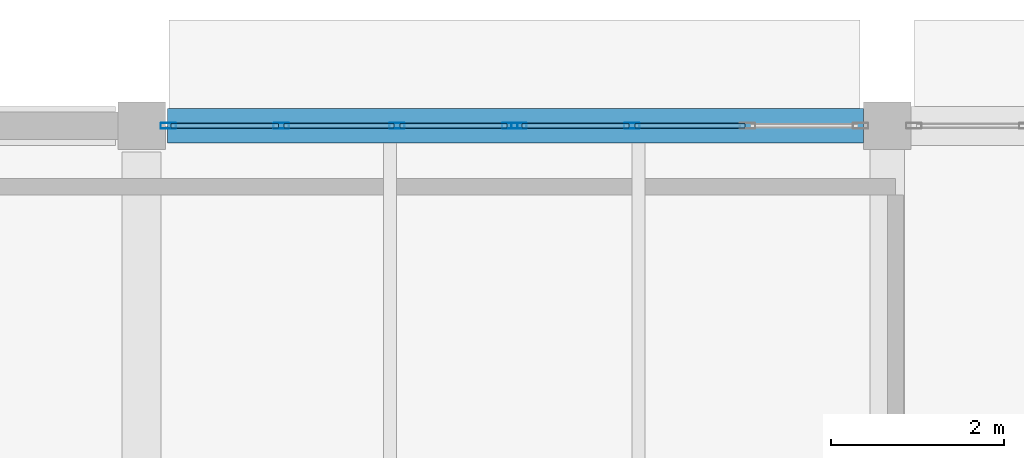
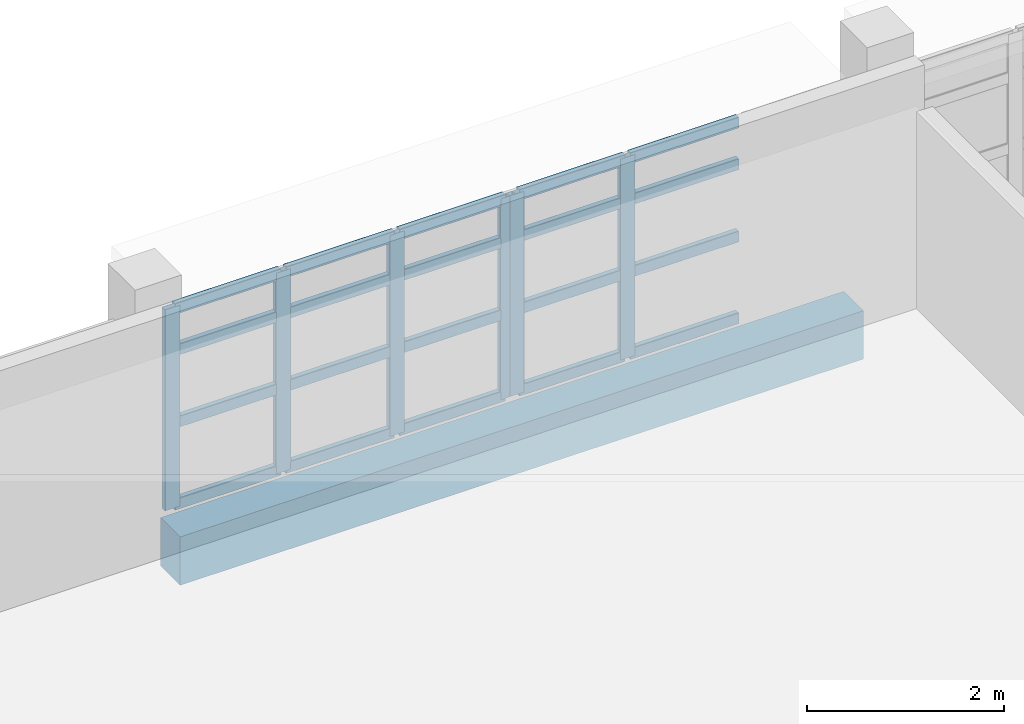
# One storey, part 14 of 34: 26 members, 1 beam, 2 elements without a shape of their own.
"""IFC4 building model written with IfcOpenShell, lengths in metres."""

import ifcopenshell
import ifcopenshell.guid

model = None  # the IFC model being written
_history = None  # IfcOwnerHistory: only IFC2X3 demands one
_inside = {}  # id of a spatial element -> (the spatial element, [elements in it])
_under = {}  # id of a project, library or spatial element -> (it, [spatial elements below it])
_declared = {}  # id of a project -> (the project, [libraries it declares])
_typed = {}  # id of a type object -> (the type object, [elements of that type])
_made_of = {}  # id of a material, layer set ... -> (it, [elements and type objects made of it])


def new_model(schema):
    """Start an empty IFC model of exactly this schema.

    Asked for "IFC4X3", IfcOpenShell would pick the latest addendum, in which some entities
    have other attributes; the version numbers below select the first issue.
    IFC2X3 requires an IfcOwnerHistory on every rooted entity: one is made here for all.
    """
    global model, _history
    if schema == "IFC4X3":
        model = ifcopenshell.file(schema_version=(4, 3, 0, 0))
    else:
        model = ifcopenshell.file(schema=schema)
    _inside.clear()
    _under.clear()
    _declared.clear()
    _typed.clear()
    _made_of.clear()
    _history = None
    if model.schema == "IFC2X3":
        org = make("IfcOrganization", Name="unknown")
        user = make(
            "IfcPersonAndOrganization",
            ThePerson=make("IfcPerson", FamilyName="unknown"),
            TheOrganization=org,
        )
        app = make(
            "IfcApplication",
            ApplicationDeveloper=org,
            Version="unknown",
            ApplicationFullName="unknown",
            ApplicationIdentifier="unknown",
        )
        _history = make(
            "IfcOwnerHistory",
            OwningUser=user,
            OwningApplication=app,
            ChangeAction="ADDED",
            CreationDate=0,
        )
    return model


def make(cls, **values):
    """One entity of the class cls with the attributes given. An attribute that is None is left unset."""
    return model.create_entity(
        cls, **{name: value for name, value in values.items() if value is not None}
    )


def rooted(cls, **values):
    """An entity with a GlobalId (a new one), such as an element, a storey or a relation."""
    return make(cls, GlobalId=ifcopenshell.guid.new(), OwnerHistory=_history, **values)


def si_unit(unit_type, name, prefix=None):
    """IfcSIUnit, for example si_unit("LENGTHUNIT", "METRE", prefix="MILLI")."""
    return make("IfcSIUnit", UnitType=unit_type, Prefix=prefix, Name=name)


def assignment(units):
    """IfcUnitAssignment: the units of a project."""
    return None if units is None else make("IfcUnitAssignment", Units=units)


def point(xyz):
    """IfcCartesianPoint."""
    return None if xyz is None else make("IfcCartesianPoint", Coordinates=xyz)


def direction(xyz):
    """IfcDirection."""
    return None if xyz is None else make("IfcDirection", DirectionRatios=xyz)


def frame(location, z_axis=None, x_axis=None):
    """IfcAxis2Placement3D, a coordinate frame: its origin and axes. An axis left out is left unset."""
    return make(
        "IfcAxis2Placement3D",
        Location=point(location),
        Axis=direction(z_axis),
        RefDirection=direction(x_axis),
    )


def frame_2d(location, x_axis=None):
    """IfcAxis2Placement2D, a coordinate frame in the plane: its origin and x axis."""
    return make(
        "IfcAxis2Placement2D", Location=point(location), RefDirection=direction(x_axis)
    )


def origin():
    """The frame at (0, 0, 0) with its axes left unset."""
    return frame((0.0, 0.0, 0.0))


def origin_2d():
    """The frame at (0, 0) in the plane with its x axis left unset."""
    return frame_2d((0.0, 0.0))


def place(relative_to, where):
    """IfcLocalPlacement: puts the frame where relative to a parent placement (None: the world)."""
    return make(
        "IfcLocalPlacement", PlacementRelTo=relative_to, RelativePlacement=where
    )


def context(
    kind, dimensions, precision=None, world=None, true_north=None, identifier=None
):
    """IfcGeometricRepresentationContext, for example the 3D "Model" context."""
    return make(
        "IfcGeometricRepresentationContext",
        ContextIdentifier=identifier,
        ContextType=kind,
        CoordinateSpaceDimension=dimensions,
        Precision=precision,
        WorldCoordinateSystem=world,
        TrueNorth=true_north,
    )


def subcontext(parent, identifier, kind, view, scale=None):
    """IfcGeometricRepresentationSubContext, for example "Body" below "Model"."""
    return make(
        "IfcGeometricRepresentationSubContext",
        ContextIdentifier=identifier,
        ContextType=kind,
        ParentContext=parent,
        TargetScale=scale,
        TargetView=view,
    )


def project(units=None, contexts=None):
    """IfcProject with its units and contexts."""
    return rooted(
        "IfcProject",
        Name="project",
        RepresentationContexts=contexts,
        UnitsInContext=assignment(units),
    )


def spatial(cls, under=None, at=None, **own):
    """A site, building, storey or space (cls), placed at a placement, below another one or the project."""
    s = rooted(cls, ObjectPlacement=at, **own)
    if under is not None:
        _under.setdefault(under.id(), (under, []))[1].append(s)
    return s


def profile(cls, at=None, kind="AREA", **sizes):
    """A parametric profile (cls). Its sizes go by their IFC names, for example OverallWidth=200.0."""
    return make(cls, ProfileType=kind, Position=at, **sizes)


def rectangle(**sizes):
    """IfcRectangleProfileDef."""
    return profile("IfcRectangleProfileDef", **sizes)


def hollow_rectangle(**sizes):
    """IfcRectangleHollowProfileDef."""
    return profile("IfcRectangleHollowProfileDef", **sizes)


def extrude(swept, where, along, depth):
    """IfcExtrudedAreaSolid: the profile swept, set in the frame where, extruded along a direction by depth."""
    return make(
        "IfcExtrudedAreaSolid",
        SweptArea=swept,
        Position=where,
        ExtrudedDirection=direction(along),
        Depth=depth,
    )


def shape(context_of_items, identifier, shape_type, items):
    """IfcShapeRepresentation: the items that make up one representation, for example the "Body"."""
    return make(
        "IfcShapeRepresentation",
        ContextOfItems=context_of_items,
        RepresentationIdentifier=identifier,
        RepresentationType=shape_type,
        Items=items,
    )


def material(Name=None, Category=None):
    """IfcMaterial."""
    return make("IfcMaterial", Name=Name, Category=Category)


def material_profile(
    of_material, cross_section, Name=None, Category=None, Priority=None
):
    """IfcMaterialProfile: a cross section and its material."""
    return make(
        "IfcMaterialProfile",
        Name=Name,
        Material=of_material,
        Profile=cross_section,
        Priority=Priority,
        Category=Category,
    )


def profile_set(profiles, Name=None, composite=None):
    """IfcMaterialProfileSet."""
    return make(
        "IfcMaterialProfileSet",
        Name=Name,
        MaterialProfiles=profiles,
        CompositeProfile=composite,
    )


def made_of(thing, what):
    """Note that an element or type object is made of a material, layer set ...; save() writes the relation."""
    if what is not None:
        _made_of.setdefault(what.id(), (what, []))[1].append(thing)
    return thing


def type_object(cls, material=None, **own):
    """A type object (cls), such as IfcWallType, which elements share."""
    return made_of(rooted(cls, **own), material)


def element(
    cls,
    number,
    at=None,
    inside=None,
    cuts=None,
    type_object=None,
    material=None,
    context=None,
    identifier="Body",
    shape_type=None,
    held_by="IfcProductDefinitionShape",
    body=None,
    shapes=None,
    **own,
):
    """One element of the class cls, such as IfcWall. Its Tag is "e" and its number.

    at: its placement. inside: the storey or other place that contains it. cuts: it is an
    opening in that element (IfcRelVoidsElement). A single representation is given by context,
    identifier, shape_type and body (its items); several are given by shapes. held_by: the class
    of the entity that holds the representations. save() writes the other relations.
    """
    e = rooted(cls, Tag="e%d" % number, ObjectPlacement=at, **own)
    if body is not None:
        shapes = [shape(context, identifier, shape_type, body)]
    if shapes is not None:
        e.Representation = make(held_by, Representations=shapes)
    if inside is not None:
        _inside.setdefault(inside.id(), (inside, []))[1].append(e)
    if cuts is not None:
        rooted(
            "IfcRelVoidsElement", RelatingBuildingElement=cuts, RelatedOpeningElement=e
        )
    if type_object is not None:
        _typed.setdefault(type_object.id(), (type_object, []))[1].append(e)
    return made_of(e, material)


def aggregate(whole, parts):
    """IfcRelAggregates: a whole, such as a stair, and the parts it consists of."""
    return rooted("IfcRelAggregates", RelatingObject=whole, RelatedObjects=parts)


def save(model, path):
    """Write the relations noted so far, then the file.

    IfcRelAggregates (storeys below a building ...), IfcRelContainedInSpatialStructure (elements
    in a storey), IfcRelDefinesByType, IfcRelAssociatesMaterial and IfcRelDeclares: one each for
    every whole, place, type object, material and project.
    """
    for whole, parts in _under.values():
        aggregate(whole, parts)
    for where, things in _inside.values():
        rooted(
            "IfcRelContainedInSpatialStructure",
            RelatedElements=things,
            RelatingStructure=where,
        )
    for kind, things in _typed.values():
        rooted("IfcRelDefinesByType", RelatedObjects=things, RelatingType=kind)
    for what, things in _made_of.values():
        rooted("IfcRelAssociatesMaterial", RelatedObjects=things, RelatingMaterial=what)
    for by, libraries in _declared.values():
        rooted("IfcRelDeclares", RelatingContext=by, RelatedDefinitions=libraries)
    model.write(path)


model = new_model("IFC4")

# Units and contexts
model_context = context("Model", 3, precision=1e-05, world=origin(), true_north=direction((0.0, 1.0)))
body_context = subcontext(model_context, "Body", "Model", "MODEL_VIEW")
ifc_project = project(units=[si_unit("LENGTHUNIT", "METRE"), si_unit("AREAUNIT", "SQUARE_METRE"), si_unit("VOLUMEUNIT", "CUBIC_METRE"), si_unit("PLANEANGLEUNIT", "RADIAN"), si_unit("MASSUNIT", "GRAM", prefix="KILO")], contexts=[model_context])

# Site, building, storey
site_placement = place(None, origin())
site = spatial("IfcSite", under=ifc_project, at=site_placement, CompositionType="ELEMENT")
building_placement = place(site_placement, origin())
building = spatial("IfcBuilding", under=site, at=building_placement, Name="Varnakota Cinema and Media Centre", CompositionType="ELEMENT")
storey_placement = place(building_placement, frame((0.0, 0.0, 19.050048828125)))
storey = spatial("IfcBuildingStorey", under=building, at=storey_placement, Name="L05", CompositionType="ELEMENT", Elevation=19.050048828125)

# Beam
ifc_material_1 = material(Name="Concrete M35", Category="concrete")
ifc_material_profile_1 = material_profile(ifc_material_1, rectangle(XDim=0.39990234375, YDim=0.60009765625, at=origin_2d()), Name="RCB 400x600")
ifc_profile_set_1 = profile_set([ifc_material_profile_1], Name="Concrete M35")
beam_type = type_object("IfcBeamType", Name="BM-RC-400x600", PredefinedType="BEAM", material=ifc_profile_set_1)
beam_placement = place(storey_placement, frame((8.89990234375, 61.0, -0.550048828125), z_axis=(1.0, 0.0, 0.0), x_axis=(0.0, 1.0, 0.0)))
element("IfcBeam", 1, at=beam_placement, inside=storey, type_object=beam_type, Name="L05 girder B-C/8", PredefinedType="BEAM", context=body_context, shape_type="SweptSolid", body=[
    extrude(rectangle(XDim=0.39990234375, YDim=0.60009765625, at=origin_2d()), origin(), (0.0, 0.0, 1.0), 8.025146484375),
])

# Curtain wall, members
ifc_material_2 = material(Name="Thermally broken anodised aluminium AW-6063", Category="aluminium")
curtain_wall_type = type_object("IfcCurtainWallType", Name="CW-STD-401x250", PredefinedType="USERDEFINED", material=ifc_material_2)
curtain_wall_1_placement = place(storey_placement, origin())
curtain_wall_1 = element("IfcCurtainWall", 2, at=curtain_wall_1_placement, inside=storey, type_object=curtain_wall_type, Name="L05 curtain wall CW-L05-V5-N-02-1", ObjectType="UNITISED CURTAIN WALL", PredefinedType="USERDEFINED")
ifc_material_3 = material(Name="Thermally broken anodised aluminium AW-6063", Category="aluminium")
ifc_material_profile_2 = material_profile(ifc_material_3, hollow_rectangle(XDim=0.06494140625, YDim=0.179931640625, WallThickness=0.00390625, InnerFilletRadius=0.00390625, OuterFilletRadius=0.008056640625, at=origin_2d()), Name="AL-MULLION 180x65x4")
ifc_profile_set_2 = profile_set([ifc_material_profile_2], Name="Thermally broken anodised aluminium AW-6063")
member_type_1 = type_object("IfcMemberType", Name="CWM-AL-180", PredefinedType="MULLION", material=ifc_profile_set_2)
member_1_placement = place(storey_placement, frame((8.907470703125, 61.0, 0.0), z_axis=(0.0, 0.0, 1.0), x_axis=(0.0, 1.0, 0.0)))
member_1 = element("IfcMember", 3, at=member_1_placement, type_object=member_type_1, Name="CW54 mullion 1", PredefinedType="MULLION", context=body_context, shape_type="SweptSolid", body=[
    extrude(hollow_rectangle(XDim=0.06494140625, YDim=0.179931640625, WallThickness=0.00390625, InnerFilletRadius=0.00390625, OuterFilletRadius=0.008056640625, at=origin_2d()), origin(), (0.0, 0.0, 1.0), 2.494873046875),
])
member_2_placement = place(storey_placement, frame((10.2099609375, 61.0, 0.0), z_axis=(0.0, 0.0, 1.0), x_axis=(0.0, 1.0, 0.0)))
member_2 = element("IfcMember", 4, at=member_2_placement, type_object=member_type_1, Name="CW54 mullion 2", PredefinedType="MULLION", context=body_context, shape_type="SweptSolid", body=[
    extrude(hollow_rectangle(XDim=0.06494140625, YDim=0.179931640625, WallThickness=0.00390625, InnerFilletRadius=0.00390625, OuterFilletRadius=0.008056640625, at=origin_2d()), origin(), (0.0, 0.0, 1.0), 2.494873046875),
])
member_3_placement = place(storey_placement, frame((11.544921875, 61.0, 0.0), z_axis=(0.0, 0.0, 1.0), x_axis=(0.0, 1.0, 0.0)))
member_3 = element("IfcMember", 5, at=member_3_placement, type_object=member_type_1, Name="CW54 mullion 3", PredefinedType="MULLION", context=body_context, shape_type="SweptSolid", body=[
    extrude(hollow_rectangle(XDim=0.06494140625, YDim=0.179931640625, WallThickness=0.00390625, InnerFilletRadius=0.00390625, OuterFilletRadius=0.008056640625, at=origin_2d()), origin(), (0.0, 0.0, 1.0), 2.494873046875),
])
member_4_placement = place(storey_placement, frame((12.847412109375, 61.0, 0.0), z_axis=(0.0, 0.0, 1.0), x_axis=(0.0, 1.0, 0.0)))
member_4 = element("IfcMember", 6, at=member_4_placement, type_object=member_type_1, Name="CW54 mullion 4", PredefinedType="MULLION", context=body_context, shape_type="SweptSolid", body=[
    extrude(hollow_rectangle(XDim=0.06494140625, YDim=0.179931640625, WallThickness=0.00390625, InnerFilletRadius=0.00390625, OuterFilletRadius=0.008056640625, at=origin_2d()), origin(), (0.0, 0.0, 1.0), 2.494873046875),
])

curtain_wall_2_placement = place(storey_placement, origin())
curtain_wall_2 = element("IfcCurtainWall", 7, at=curtain_wall_2_placement, inside=storey, type_object=curtain_wall_type, Name="L05 curtain wall CW-L05-V5-N-02-2", ObjectType="UNITISED CURTAIN WALL", PredefinedType="USERDEFINED")
member_5_placement = place(storey_placement, frame((12.952392578125, 61.0, 0.0), z_axis=(0.0, 0.0, 1.0), x_axis=(0.0, 1.0, 0.0)))
member_5 = element("IfcMember", 8, at=member_5_placement, type_object=member_type_1, Name="CW54 mullion 1", PredefinedType="MULLION", context=body_context, shape_type="SweptSolid", body=[
    extrude(hollow_rectangle(XDim=0.06494140625, YDim=0.179931640625, WallThickness=0.00390625, InnerFilletRadius=0.00390625, OuterFilletRadius=0.008056640625, at=origin_2d()), origin(), (0.0, 0.0, 1.0), 2.494873046875),
])
member_6_placement = place(storey_placement, frame((14.2548828125, 61.0, 0.0), z_axis=(0.0, 0.0, 1.0), x_axis=(0.0, 1.0, 0.0)))
member_6 = element("IfcMember", 9, at=member_6_placement, type_object=member_type_1, Name="CW54 mullion 2", PredefinedType="MULLION", context=body_context, shape_type="SweptSolid", body=[
    extrude(hollow_rectangle(XDim=0.06494140625, YDim=0.179931640625, WallThickness=0.00390625, InnerFilletRadius=0.00390625, OuterFilletRadius=0.008056640625, at=origin_2d()), origin(), (0.0, 0.0, 1.0), 2.494873046875),
])

# Member
ifc_material_4 = material(Name="Thermally broken anodised aluminium AW-6063", Category="aluminium")
ifc_material_profile_3 = material_profile(ifc_material_4, hollow_rectangle(XDim=0.06494140625, YDim=0.139892578125, WallThickness=0.00390625, InnerFilletRadius=0.00390625, OuterFilletRadius=0.008056640625, at=origin_2d()), Name="AL-TRANSOM 140x65x4")
ifc_profile_set_3 = profile_set([ifc_material_profile_3], Name="Thermally broken anodised aluminium AW-6063")
member_type_2 = type_object("IfcMemberType", Name="CWT-AL-140", PredefinedType="USERDEFINED", material=ifc_profile_set_3)
member_7_placement = place(storey_placement, frame((8.93994140625, 61.0, 0.032470703125), z_axis=(1.0, 0.0, 0.0), x_axis=(0.0, 1.0, 0.0)))
member_7 = element("IfcMember", 10, at=member_7_placement, type_object=member_type_2, Name="CW54 transom 1.1", ObjectType="TRANSOM", PredefinedType="USERDEFINED", context=body_context, shape_type="SweptSolid", body=[
    extrude(hollow_rectangle(XDim=0.06494140625, YDim=0.139892578125, WallThickness=0.00390625, InnerFilletRadius=0.00390625, OuterFilletRadius=0.008056640625, at=origin_2d()), origin(), (0.0, 0.0, 1.0), 1.237548828125),
])

member_8_placement = place(storey_placement, frame((8.93994140625, 61.0, 1.0478515625), z_axis=(1.0, 0.0, 0.0), x_axis=(0.0, 1.0, 0.0)))
member_8 = element("IfcMember", 11, at=member_8_placement, type_object=member_type_2, Name="CW54 transom 1.2", ObjectType="TRANSOM", PredefinedType="USERDEFINED", context=body_context, shape_type="SweptSolid", body=[
    extrude(hollow_rectangle(XDim=0.06494140625, YDim=0.139892578125, WallThickness=0.00390625, InnerFilletRadius=0.00390625, OuterFilletRadius=0.008056640625, at=origin_2d()), origin(), (0.0, 0.0, 1.0), 1.237548828125),
])

member_9_placement = place(storey_placement, frame((8.93994140625, 61.0, 1.946044921875), z_axis=(1.0, 0.0, 0.0), x_axis=(0.0, 1.0, 0.0)))
member_9 = element("IfcMember", 12, at=member_9_placement, type_object=member_type_2, Name="CW54 transom 1.3", ObjectType="TRANSOM", PredefinedType="USERDEFINED", context=body_context, shape_type="SweptSolid", body=[
    extrude(hollow_rectangle(XDim=0.06494140625, YDim=0.139892578125, WallThickness=0.00390625, InnerFilletRadius=0.00390625, OuterFilletRadius=0.008056640625, at=origin_2d()), origin(), (0.0, 0.0, 1.0), 1.237548828125),
])

member_10_placement = place(storey_placement, frame((8.93994140625, 61.0, 2.46240234375), z_axis=(1.0, 0.0, 0.0), x_axis=(0.0, 1.0, 0.0)))
member_10 = element("IfcMember", 13, at=member_10_placement, type_object=member_type_2, Name="CW54 transom 1.4", ObjectType="TRANSOM", PredefinedType="USERDEFINED", context=body_context, shape_type="SweptSolid", body=[
    extrude(hollow_rectangle(XDim=0.06494140625, YDim=0.139892578125, WallThickness=0.00390625, InnerFilletRadius=0.00390625, OuterFilletRadius=0.008056640625, at=origin_2d()), origin(), (0.0, 0.0, 1.0), 1.237548828125),
])

member_11_placement = place(storey_placement, frame((10.242431640625, 61.0, 0.032470703125), z_axis=(1.0, 0.0, 0.0), x_axis=(0.0, 1.0, 0.0)))
member_11 = element("IfcMember", 14, at=member_11_placement, type_object=member_type_2, Name="CW54 transom 2.1", ObjectType="TRANSOM", PredefinedType="USERDEFINED", context=body_context, shape_type="SweptSolid", body=[
    extrude(hollow_rectangle(XDim=0.06494140625, YDim=0.139892578125, WallThickness=0.00390625, InnerFilletRadius=0.00390625, OuterFilletRadius=0.008056640625, at=origin_2d()), origin(), (0.0, 0.0, 1.0), 1.27001953125),
])

member_12_placement = place(storey_placement, frame((10.242431640625, 61.0, 1.0478515625), z_axis=(1.0, 0.0, 0.0), x_axis=(0.0, 1.0, 0.0)))
member_12 = element("IfcMember", 15, at=member_12_placement, type_object=member_type_2, Name="CW54 transom 2.2", ObjectType="TRANSOM", PredefinedType="USERDEFINED", context=body_context, shape_type="SweptSolid", body=[
    extrude(hollow_rectangle(XDim=0.06494140625, YDim=0.139892578125, WallThickness=0.00390625, InnerFilletRadius=0.00390625, OuterFilletRadius=0.008056640625, at=origin_2d()), origin(), (0.0, 0.0, 1.0), 1.27001953125),
])

member_13_placement = place(storey_placement, frame((10.242431640625, 61.0, 1.946044921875), z_axis=(1.0, 0.0, 0.0), x_axis=(0.0, 1.0, 0.0)))
member_13 = element("IfcMember", 16, at=member_13_placement, type_object=member_type_2, Name="CW54 transom 2.3", ObjectType="TRANSOM", PredefinedType="USERDEFINED", context=body_context, shape_type="SweptSolid", body=[
    extrude(hollow_rectangle(XDim=0.06494140625, YDim=0.139892578125, WallThickness=0.00390625, InnerFilletRadius=0.00390625, OuterFilletRadius=0.008056640625, at=origin_2d()), origin(), (0.0, 0.0, 1.0), 1.27001953125),
])

member_14_placement = place(storey_placement, frame((10.242431640625, 61.0, 2.46240234375), z_axis=(1.0, 0.0, 0.0), x_axis=(0.0, 1.0, 0.0)))
member_14 = element("IfcMember", 17, at=member_14_placement, type_object=member_type_2, Name="CW54 transom 2.4", ObjectType="TRANSOM", PredefinedType="USERDEFINED", context=body_context, shape_type="SweptSolid", body=[
    extrude(hollow_rectangle(XDim=0.06494140625, YDim=0.139892578125, WallThickness=0.00390625, InnerFilletRadius=0.00390625, OuterFilletRadius=0.008056640625, at=origin_2d()), origin(), (0.0, 0.0, 1.0), 1.27001953125),
])

member_15_placement = place(storey_placement, frame((11.577392578125, 61.0, 0.032470703125), z_axis=(1.0, 0.0, 0.0), x_axis=(0.0, 1.0, 0.0)))
member_15 = element("IfcMember", 18, at=member_15_placement, type_object=member_type_2, Name="CW54 transom 3.1", ObjectType="TRANSOM", PredefinedType="USERDEFINED", context=body_context, shape_type="SweptSolid", body=[
    extrude(hollow_rectangle(XDim=0.06494140625, YDim=0.139892578125, WallThickness=0.00390625, InnerFilletRadius=0.00390625, OuterFilletRadius=0.008056640625, at=origin_2d()), origin(), (0.0, 0.0, 1.0), 1.237548828125),
])

member_16_placement = place(storey_placement, frame((11.577392578125, 61.0, 1.0478515625), z_axis=(1.0, 0.0, 0.0), x_axis=(0.0, 1.0, 0.0)))
member_16 = element("IfcMember", 19, at=member_16_placement, type_object=member_type_2, Name="CW54 transom 3.2", ObjectType="TRANSOM", PredefinedType="USERDEFINED", context=body_context, shape_type="SweptSolid", body=[
    extrude(hollow_rectangle(XDim=0.06494140625, YDim=0.139892578125, WallThickness=0.00390625, InnerFilletRadius=0.00390625, OuterFilletRadius=0.008056640625, at=origin_2d()), origin(), (0.0, 0.0, 1.0), 1.237548828125),
])

member_17_placement = place(storey_placement, frame((11.577392578125, 61.0, 1.946044921875), z_axis=(1.0, 0.0, 0.0), x_axis=(0.0, 1.0, 0.0)))
member_17 = element("IfcMember", 20, at=member_17_placement, type_object=member_type_2, Name="CW54 transom 3.3", ObjectType="TRANSOM", PredefinedType="USERDEFINED", context=body_context, shape_type="SweptSolid", body=[
    extrude(hollow_rectangle(XDim=0.06494140625, YDim=0.139892578125, WallThickness=0.00390625, InnerFilletRadius=0.00390625, OuterFilletRadius=0.008056640625, at=origin_2d()), origin(), (0.0, 0.0, 1.0), 1.237548828125),
])

member_18_placement = place(storey_placement, frame((11.577392578125, 61.0, 2.46240234375), z_axis=(1.0, 0.0, 0.0), x_axis=(0.0, 1.0, 0.0)))
member_18 = element("IfcMember", 21, at=member_18_placement, type_object=member_type_2, Name="CW54 transom 3.4", ObjectType="TRANSOM", PredefinedType="USERDEFINED", context=body_context, shape_type="SweptSolid", body=[
    extrude(hollow_rectangle(XDim=0.06494140625, YDim=0.139892578125, WallThickness=0.00390625, InnerFilletRadius=0.00390625, OuterFilletRadius=0.008056640625, at=origin_2d()), origin(), (0.0, 0.0, 1.0), 1.237548828125),
])

aggregate(curtain_wall_1, [member_1, member_2, member_3, member_4, member_7, member_8, member_9, member_10, member_11, member_12, member_13, member_14, member_15, member_16, member_17, member_18])

member_19_placement = place(storey_placement, frame((12.985107421875, 61.0, 0.032470703125), z_axis=(1.0, 0.0, 0.0), x_axis=(0.0, 1.0, 0.0)))
member_19 = element("IfcMember", 22, at=member_19_placement, type_object=member_type_2, Name="CW54 transom 1.1", ObjectType="TRANSOM", PredefinedType="USERDEFINED", context=body_context, shape_type="SweptSolid", body=[
    extrude(hollow_rectangle(XDim=0.06494140625, YDim=0.139892578125, WallThickness=0.00390625, InnerFilletRadius=0.00390625, OuterFilletRadius=0.008056640625, at=origin_2d()), origin(), (0.0, 0.0, 1.0), 1.2373046875),
])

member_20_placement = place(storey_placement, frame((12.985107421875, 61.0, 1.0478515625), z_axis=(1.0, 0.0, 0.0), x_axis=(0.0, 1.0, 0.0)))
member_20 = element("IfcMember", 23, at=member_20_placement, type_object=member_type_2, Name="CW54 transom 1.2", ObjectType="TRANSOM", PredefinedType="USERDEFINED", context=body_context, shape_type="SweptSolid", body=[
    extrude(hollow_rectangle(XDim=0.06494140625, YDim=0.139892578125, WallThickness=0.00390625, InnerFilletRadius=0.00390625, OuterFilletRadius=0.008056640625, at=origin_2d()), origin(), (0.0, 0.0, 1.0), 1.2373046875),
])

member_21_placement = place(storey_placement, frame((12.985107421875, 61.0, 1.946044921875), z_axis=(1.0, 0.0, 0.0), x_axis=(0.0, 1.0, 0.0)))
member_21 = element("IfcMember", 24, at=member_21_placement, type_object=member_type_2, Name="CW54 transom 1.3", ObjectType="TRANSOM", PredefinedType="USERDEFINED", context=body_context, shape_type="SweptSolid", body=[
    extrude(hollow_rectangle(XDim=0.06494140625, YDim=0.139892578125, WallThickness=0.00390625, InnerFilletRadius=0.00390625, OuterFilletRadius=0.008056640625, at=origin_2d()), origin(), (0.0, 0.0, 1.0), 1.2373046875),
])

member_22_placement = place(storey_placement, frame((12.985107421875, 61.0, 2.46240234375), z_axis=(1.0, 0.0, 0.0), x_axis=(0.0, 1.0, 0.0)))
member_22 = element("IfcMember", 25, at=member_22_placement, type_object=member_type_2, Name="CW54 transom 1.4", ObjectType="TRANSOM", PredefinedType="USERDEFINED", context=body_context, shape_type="SweptSolid", body=[
    extrude(hollow_rectangle(XDim=0.06494140625, YDim=0.139892578125, WallThickness=0.00390625, InnerFilletRadius=0.00390625, OuterFilletRadius=0.008056640625, at=origin_2d()), origin(), (0.0, 0.0, 1.0), 1.2373046875),
])

member_23_placement = place(storey_placement, frame((14.28759765625, 61.0, 0.032470703125), z_axis=(1.0, 0.0, 0.0), x_axis=(0.0, 1.0, 0.0)))
member_23 = element("IfcMember", 26, at=member_23_placement, type_object=member_type_2, Name="CW54 transom 2.1", ObjectType="TRANSOM", PredefinedType="USERDEFINED", context=body_context, shape_type="SweptSolid", body=[
    extrude(hollow_rectangle(XDim=0.06494140625, YDim=0.139892578125, WallThickness=0.00390625, InnerFilletRadius=0.00390625, OuterFilletRadius=0.008056640625, at=origin_2d()), origin(), (0.0, 0.0, 1.0), 1.27001953125),
])

member_24_placement = place(storey_placement, frame((14.28759765625, 61.0, 1.0478515625), z_axis=(1.0, 0.0, 0.0), x_axis=(0.0, 1.0, 0.0)))
member_24 = element("IfcMember", 27, at=member_24_placement, type_object=member_type_2, Name="CW54 transom 2.2", ObjectType="TRANSOM", PredefinedType="USERDEFINED", context=body_context, shape_type="SweptSolid", body=[
    extrude(hollow_rectangle(XDim=0.06494140625, YDim=0.139892578125, WallThickness=0.00390625, InnerFilletRadius=0.00390625, OuterFilletRadius=0.008056640625, at=origin_2d()), origin(), (0.0, 0.0, 1.0), 1.27001953125),
])

member_25_placement = place(storey_placement, frame((14.28759765625, 61.0, 1.946044921875), z_axis=(1.0, 0.0, 0.0), x_axis=(0.0, 1.0, 0.0)))
member_25 = element("IfcMember", 28, at=member_25_placement, type_object=member_type_2, Name="CW54 transom 2.3", ObjectType="TRANSOM", PredefinedType="USERDEFINED", context=body_context, shape_type="SweptSolid", body=[
    extrude(hollow_rectangle(XDim=0.06494140625, YDim=0.139892578125, WallThickness=0.00390625, InnerFilletRadius=0.00390625, OuterFilletRadius=0.008056640625, at=origin_2d()), origin(), (0.0, 0.0, 1.0), 1.27001953125),
])

member_26_placement = place(storey_placement, frame((14.28759765625, 61.0, 2.46240234375), z_axis=(1.0, 0.0, 0.0), x_axis=(0.0, 1.0, 0.0)))
member_26 = element("IfcMember", 29, at=member_26_placement, type_object=member_type_2, Name="CW54 transom 2.4", ObjectType="TRANSOM", PredefinedType="USERDEFINED", context=body_context, shape_type="SweptSolid", body=[
    extrude(hollow_rectangle(XDim=0.06494140625, YDim=0.139892578125, WallThickness=0.00390625, InnerFilletRadius=0.00390625, OuterFilletRadius=0.008056640625, at=origin_2d()), origin(), (0.0, 0.0, 1.0), 1.27001953125),
])

aggregate(curtain_wall_2, [member_5, member_6, member_19, member_20, member_21, member_22, member_23, member_24, member_25, member_26])

save(model, "model.ifc")
